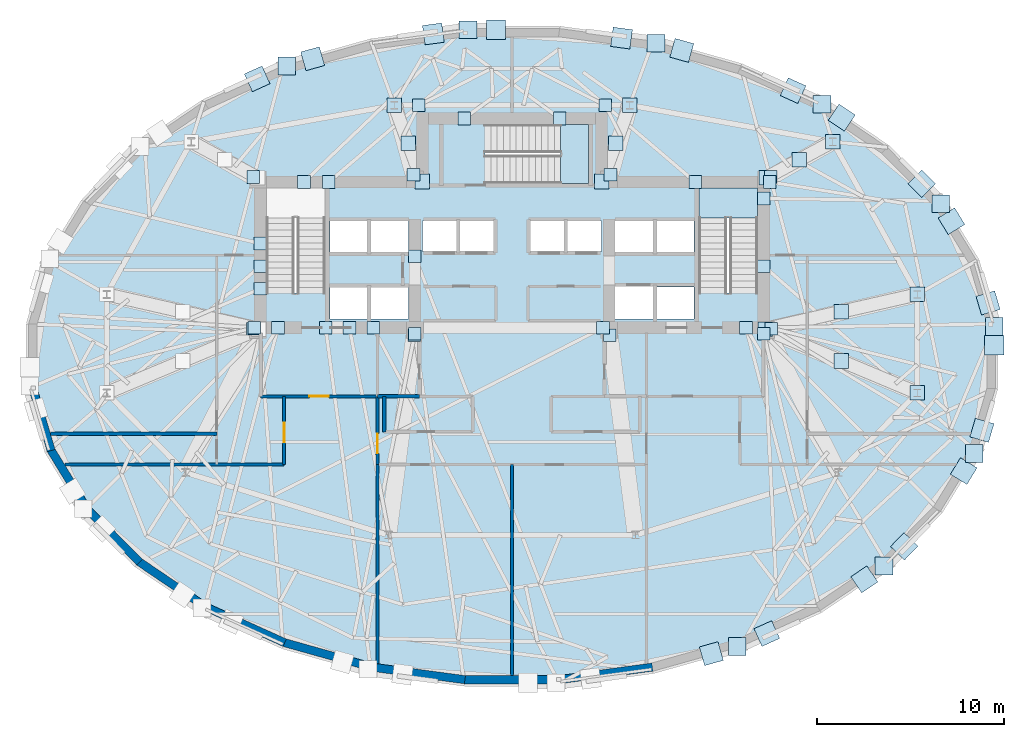
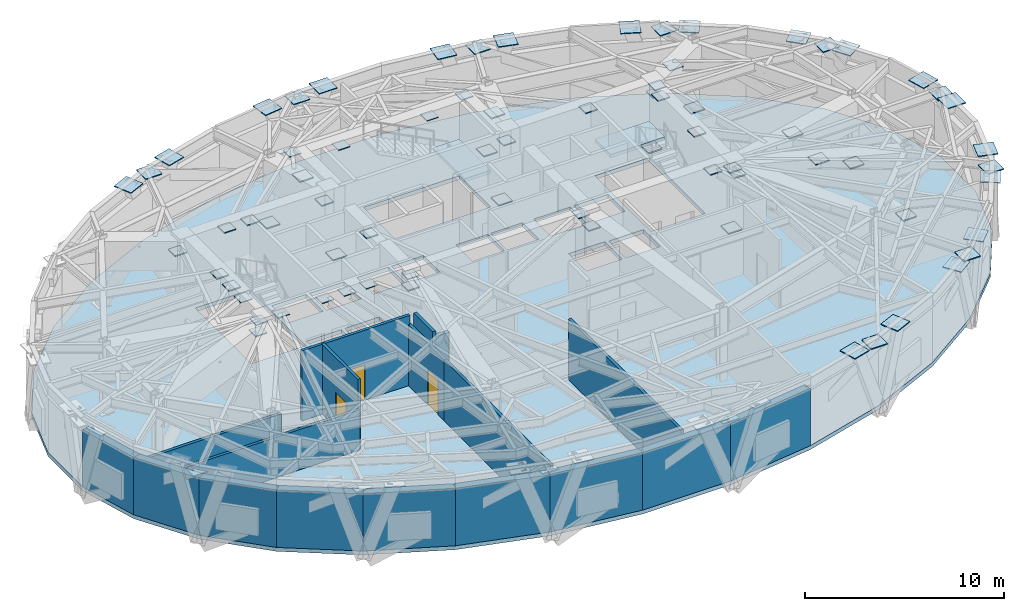
# One storey, part 6 of 13: 72 plates, 18 walls, 3 doors, 3 slabs, 3 openings, 2 elements without a shape of their own.
"""IFC4 building model written with IfcOpenShell, lengths in metres."""

from ifc_helpers import new_model, si_unit, direction, frame, frame_2d, origin, origin_2d, place, context, subcontext, project, spatial, polyline, rectangle, outline, extrude, material, layer, layer_set, type_object, element, fill, aggregate, save


model = new_model("IFC4")

# Units and contexts
model_context = context("Model", 3, precision=1e-05, world=origin(), true_north=direction((0.0, 1.0)))
body_context = subcontext(model_context, "Body", "Model", "MODEL_VIEW")
ifc_project = project(units=[si_unit("LENGTHUNIT", "METRE"), si_unit("AREAUNIT", "SQUARE_METRE"), si_unit("VOLUMEUNIT", "CUBIC_METRE"), si_unit("PLANEANGLEUNIT", "RADIAN"), si_unit("MASSUNIT", "GRAM", prefix="KILO")], contexts=[model_context])

# Site, building, storey
site_placement = place(None, origin())
site = spatial("IfcSite", under=ifc_project, at=site_placement, CompositionType="ELEMENT")
building_placement = place(site_placement, origin())
building = spatial("IfcBuilding", under=site, at=building_placement, Name="Keldmark Tower", CompositionType="ELEMENT")
storey_placement = place(building_placement, frame((0.0, 0.0, 135.10009765625)))
storey = spatial("IfcBuildingStorey", under=building, at=storey_placement, Name="L36", CompositionType="ELEMENT", Elevation=135.10009765625)

# Plates
ifc_material_1 = material(Name="Steel ASTM A572 Grade 50", Category="steel")
ifc_layer_1 = layer(ifc_material_1, 0.06005859375)
ifc_layer_set_1 = layer_set([ifc_layer_1], Name="Steel ASTM A572 Grade 50")
plate_type_1 = type_object("IfcPlateType", Name="Belt Truss Kink Node Assembly KN01 60 mm", PredefinedType="USERDEFINED", material=ifc_layer_set_1)
for number, where, z_axis, x_axis, name in (
    (1, (22.95068359375, 8.160888671875, 3.949951171875), (0.0, 0.0, 1.0), (1.0, 0.0, 0.0), "L36 Belt Truss Kink Node 01B"),
    (2, (16.592041015625, 13.484619140625, 3.949951171875), (0.0, 0.0, 1.0), (1.0, 0.0, 0.0), "L36 Belt Truss Kink Node 02B"),
    (3, (7.70751953125, 16.755615234375, 3.949951171875), (0.0, 0.0, 1.0), (1.0, 0.0, 0.0), "L36 Belt Truss Kink Node 03B"),
    (4, (-2.350341796875, 17.4755859375, 3.949951171875), (0.0, 0.0, 1.0), (1.0, 0.0, 0.0), "L36 Belt Truss Kink Node 04B"),
    (5, (-12.050537109375, 15.534912109375, 3.949951171875), (0.0, 0.0, 1.0), (1.0, 0.0, 0.0), "L36 Belt Truss Kink Node 05B"),
    (6, (12.050537109375, -15.534912109375, 3.949951171875), (0.0, 0.0, 1.0), (1.0, 0.0, 0.0), "L36 Belt Truss Kink Node 13B"),
    (7, (19.916015625, -11.229248046875, 3.949951171875), (0.0, 0.0, 1.0), (1.0, 0.0, 0.0), "L36 Belt Truss Kink Node 14B"),
    (8, (24.74951171875, -5.214111328125, 3.949951171875), (0.0, 0.0, 1.0), (1.0, 0.0, 0.0), "L36 Belt Truss Kink Node 15B"),
    (9, (25.815185546875, 1.5947265625, 3.949951171875), (0.0, 0.0, 1.0), (1.0, 0.0, 0.0), "L36 Belt Truss Kink Node 16B"),
):
    element("IfcPlate", number, at=place(storey_placement, frame(where, z_axis=z_axis, x_axis=x_axis)), inside=storey, type_object=plate_type_1, Name=name, ObjectType="CAP PLATE", PredefinedType="USERDEFINED", context=body_context, shape_type="SweptSolid", body=[
        extrude(rectangle(XDim=0.949951171875, YDim=0.949951171875, at=origin_2d()), origin(), (0.0, 0.0, 1.0), 0.06005859375),
    ])
for number, where, z_axis, x_axis, name in (
    (10, (-4.800048828125, 9.35009765625, 0.119873046875), (0.0, 0.0, 1.0), (1.0, 0.0, 0.0), "L36 Outrigger Node Cap 04A0"),
    (11, (-5.54931640625, 11.39111328125, 3.949951171875), (0.0, 0.0, 1.0), (1.0, 0.0, 0.0), "L36 Outrigger Node Cap 04A1"),
    (12, (-6.298828125, 13.4326171875, 0.119873046875), (0.0, 0.0, 1.0), (1.0, 0.0, 0.0), "L36 Outrigger Node Cap 04B0"),
    (13, (13.550048828125, 1.449951171875, 0.119873046875), (0.0, 0.0, 1.0), (1.0, 0.0, 0.0), "L36 Outrigger Node Cap 05A0"),
    (14, (17.623291015625, 2.3798828125, 3.949951171875), (0.0, 0.0, 1.0), (1.0, 0.0, 0.0), "L36 Outrigger Node Cap 05A1"),
    (15, (21.697021484375, 3.309814453125, 0.119873046875), (0.0, 0.0, 1.0), (1.0, 0.0, 0.0), "L36 Outrigger Node Cap 05B0"),
    (16, (17.623291015625, -0.258056640625, 3.949951171875), (0.0, 0.0, 1.0), (1.0, 0.0, 0.0), "L36 Outrigger Node Cap 06A1"),
    (17, (21.697021484375, -1.9658203125, 0.119873046875), (0.0, 0.0, 1.0), (1.0, 0.0, 0.0), "L36 Outrigger Node Cap 06B0"),
    (18, (13.60009765625, 9.550048828125, 0.119873046875), (0.0, 0.0, 1.0), (1.0, 0.0, 0.0), "L36 Outrigger Node Cap 07A0"),
    (19, (15.383544921875, 10.51416015625, 3.949951171875), (0.0, 0.0, 1.0), (1.0, 0.0, 0.0), "L36 Outrigger Node Cap 07A1"),
    (20, (17.1669921875, 11.478271484375, 0.119873046875), (0.0, 0.0, 1.0), (1.0, 0.0, 0.0), "L36 Outrigger Node Cap 07B0"),
    (21, (4.800048828125, 9.35009765625, 0.119873046875), (0.0, 0.0, 1.0), (1.0, 0.0, 0.0), "L36 Outrigger Node Cap 08A0"),
    (22, (5.54931640625, 11.39111328125, 3.949951171875), (0.0, 0.0, 1.0), (1.0, 0.0, 0.0), "L36 Outrigger Node Cap 08A1"),
    (23, (6.298828125, 13.4326171875, 0.119873046875), (0.0, 0.0, 1.0), (1.0, 0.0, 0.0), "L36 Outrigger Node Cap 08B0"),
):
    element("IfcPlate", number, at=place(storey_placement, frame(where, z_axis=z_axis, x_axis=x_axis)), inside=storey, type_object=plate_type_1, Name=name, ObjectType="CAP PLATE", PredefinedType="USERDEFINED", context=body_context, shape_type="SweptSolid", body=[
        extrude(rectangle(XDim=0.780029296875, YDim=0.780029296875, at=origin_2d()), origin(), (0.0, 0.0, 1.0), 0.06005859375),
    ])
for number, where, z_axis, x_axis, name in (
    (24, (13.87255859375, 1.46435546875, 3.3525390625), (0.0, 0.0, 1.0), (1.0, 0.0, 0.0), "L36 Core Wall Cast-In Embed Plate 1057"),
    (25, (13.843505859375, 9.58837890625, 3.3525390625), (0.0, 0.0, 1.0), (1.0, 0.0, 0.0), "L36 Core Wall Cast-In Embed Plate 1058"),
    (26, (5.2744140625, 9.719970703125, 3.3525390625), (0.0, 0.0, 1.0), (1.0, 0.0, 0.0), "L36 Core Wall Cast-In Embed Plate 1059"),
    (27, (-5.2744140625, 9.719970703125, 3.3525390625), (0.0, 0.0, 1.0), (1.0, 0.0, 0.0), "L36 Core Wall Cast-In Embed Plate 1060"),
    (28, (-13.843505859375, 9.58837890625, 3.3525390625), (0.0, 0.0, 1.0), (1.0, 0.0, 0.0), "L36 Core Wall Cast-In Embed Plate 1061"),
    (29, (-13.87255859375, 1.46435546875, 3.3525390625), (0.0, 0.0, 1.0), (1.0, 0.0, 0.0), "L36 Core Wall Cast-In Embed Plate 1062"),
    (30, (-5.235595703125, 1.122314453125, 3.3525390625), (0.0, 0.0, 1.0), (1.0, 0.0, 0.0), "L36 Core Wall Cast-In Embed Plate 1063"),
    (31, (5.235595703125, 1.122314453125, 3.3525390625), (0.0, 0.0, 1.0), (1.0, 0.0, 0.0), "L36 Core Wall Cast-In Embed Plate 1064"),
    (32, (4.9853515625, 13.4326171875, 3.98388671875), (0.0, 0.0, 1.0), (1.0, 0.0, 0.0), "L36 Core Wall Cast-In Embed Plate 1065"),
    (33, (9.8037109375, 9.324951171875, 3.98388671875), (0.0, 0.0, 1.0), (1.0, 0.0, 0.0), "L36 Core Wall Cast-In Embed Plate 1066"),
    (34, (-4.9853515625, 13.4326171875, 3.98388671875), (0.0, 0.0, 1.0), (1.0, 0.0, 0.0), "L36 Core Wall Cast-In Embed Plate 1067"),
    (35, (-9.8037109375, 9.324951171875, 3.98388671875), (0.0, 0.0, 1.0), (1.0, 0.0, 0.0), "L36 Core Wall Cast-In Embed Plate 1068"),
    (36, (-13.800048828125, 1.52490234375, 3.98388671875), (0.0, 0.0, 1.0), (1.0, 0.0, 0.0), "L36 Core Wall Cast-In Embed Plate 1069"),
    (37, (-8.699951171875, 1.52490234375, 3.98388671875), (0.0, 0.0, 1.0), (1.0, 0.0, 0.0), "L36 Core Wall Cast-In Embed Plate 1070"),
    (38, (13.47509765625, 1.199951171875, 3.98388671875), (0.0, 0.0, 1.0), (1.0, 0.0, 0.0), "L36 Core Wall Cast-In Embed Plate 1071"),
    (39, (13.800048828125, 9.324951171875, 3.98388671875), (0.0, 0.0, 1.0), (1.0, 0.0, 0.0), "L36 Core Wall Cast-In Embed Plate 1072"),
    (40, (-12.52490234375, 1.52490234375, 3.98388671875), (0.0, 0.0, 1.0), (1.0, 0.0, 0.0), "L36 Core Wall Cast-In Embed Plate 1073"),
    (41, (-5.199951171875, 1.199951171875, 3.98388671875), (0.0, 0.0, 1.0), (1.0, 0.0, 0.0), "L36 Core Wall Cast-In Embed Plate 1074"),
    (42, (-5.199951171875, 5.35009765625, 3.98388671875), (0.0, 0.0, 1.0), (1.0, 0.0, 0.0), "L36 Core Wall Cast-In Embed Plate 1075"),
    (43, (13.47509765625, 8.44287109375, 3.98388671875), (0.0, 0.0, 1.0), (1.0, 0.0, 0.0), "L36 Core Wall Cast-In Embed Plate 1076"),
    (44, (-2.5625, 12.72509765625, 3.98388671875), (0.0, 0.0, 1.0), (1.0, 0.0, 0.0), "L36 Core Wall Cast-In Embed Plate 1077"),
    (45, (2.5625, 12.72509765625, 3.98388671875), (0.0, 0.0, 1.0), (1.0, 0.0, 0.0), "L36 Core Wall Cast-In Embed Plate 1078"),
    (46, (-13.47509765625, 6.028564453125, 3.98388671875), (0.0, 0.0, 1.0), (1.0, 0.0, 0.0), "L36 Core Wall Cast-In Embed Plate 1079"),
    (47, (-13.47509765625, 3.6142578125, 3.98388671875), (0.0, 0.0, 1.0), (1.0, 0.0, 0.0), "L36 Core Wall Cast-In Embed Plate 1080"),
    (48, (-13.47509765625, 4.8212890625, 3.98388671875), (0.0, 0.0, 1.0), (1.0, 0.0, 0.0), "L36 Core Wall Cast-In Embed Plate 1081"),
    (49, (4.875, 1.52490234375, 3.98388671875), (0.0, 0.0, 1.0), (1.0, 0.0, 0.0), "L36 Core Wall Cast-In Embed Plate 1082"),
    (50, (-9.97509765625, 1.52490234375, 3.98388671875), (0.0, 0.0, 1.0), (1.0, 0.0, 0.0), "L36 Core Wall Cast-In Embed Plate 1083"),
    (51, (-7.425048828125, 1.52490234375, 3.98388671875), (0.0, 0.0, 1.0), (1.0, 0.0, 0.0), "L36 Core Wall Cast-In Embed Plate 1084"),
    (52, (12.52490234375, 1.52490234375, 3.98388671875), (0.0, 0.0, 1.0), (1.0, 0.0, 0.0), "L36 Core Wall Cast-In Embed Plate 1085"),
    (53, (13.47509765625, 4.8212890625, 3.98388671875), (0.0, 0.0, 1.0), (1.0, 0.0, 0.0), "L36 Core Wall Cast-In Embed Plate 1086"),
    (54, (-11.1357421875, 9.324951171875, 3.98388671875), (0.0, 0.0, 1.0), (1.0, 0.0, 0.0), "L36 Core Wall Cast-In Embed Plate 1087"),
):
    element("IfcPlate", number, at=place(storey_placement, frame(where, z_axis=z_axis, x_axis=x_axis)), inside=storey, type_object=plate_type_1, Name=name, ObjectType="CAP PLATE", PredefinedType="USERDEFINED", context=body_context, shape_type="SweptSolid", body=[
        extrude(rectangle(XDim=0.679931640625, YDim=0.679931640625, at=origin_2d()), origin(), (0.0, 0.0, 1.0), 0.054931640625),
    ])
ifc_material_2 = material(Name="Steel ASTM A572 Grade 50", Category="steel")
ifc_layer_2 = layer(ifc_material_2, 0.054931640625)
ifc_layer_set_2 = layer_set([ifc_layer_2], Name="Steel ASTM A572 Grade 50")
plate_type_2 = type_object("IfcPlateType", Name="Diagrid Node Assembly DN03 55 mm", PredefinedType="USERDEFINED", material=ifc_layer_set_2)
for number, where, z_axis, x_axis, name in (
    (55, (25.483642578125, 2.850341796875, 4.13232421875), (0.0, 0.0, 1.0), (-0.281671660596, 0.959510852267, 0.0), "L36 Diagrid Node Assembly 01"),
    (56, (23.522705078125, 7.224853515625, 4.13232421875), (0.0, 0.0, 1.0), (-0.521456478554, 0.85327788028, 0.0), "L36 Diagrid Node Assembly 02"),
    (57, (21.93310546875, 9.235107421875, 4.13232421875), (0.0, 0.0, 1.0), (-0.702153052995, 0.712026045991, 0.0), "L36 Diagrid Node Assembly 03"),
    (58, (17.649169921875, 12.768310546875, 4.13232421875), (0.0, 0.0, 1.0), (-0.827864584251, 0.560928007986, 0.0), "L36 Diagrid Node Assembly 04"),
    (59, (15.04345703125, 14.213623046875, 4.13232421875), (0.0, 0.0, 1.0), (-0.910971840153, 0.412468552072, 0.0), "L36 Diagrid Node Assembly 05"),
    (60, (9.088623046875, 16.367919921875, 4.13232421875), (0.0, 0.0, 1.0), (-0.962786145149, 0.270264386684, 0.0), "L36 Diagrid Node Assembly 06"),
    (61, (5.86376953125, 17.028564453125, 4.13232421875), (0.0, 0.0, 1.0), (-0.991029909341, 0.133640258869, 0.0), "L36 Diagrid Node Assembly 07"),
    (62, (-0.85546875, 17.4755859375, 4.13232421875), (0.0, 0.0, 1.0), (-1.0, 0.0, 0.0), "L36 Diagrid Node Assembly 08"),
    (63, (-4.208740234375, 17.2509765625, 4.13232421875), (0.0, 0.0, 1.0), (-0.991029909341, -0.133640258869, 0.0), "L36 Diagrid Node Assembly 09"),
    (64, (-10.669189453125, 15.922607421875, 4.13232421875), (0.0, 0.0, 1.0), (-0.962786145149, -0.270264386684, 0.0), "L36 Diagrid Node Assembly 10"),
    (65, (-13.640625, 14.846923828125, 4.13232421875), (0.0, 0.0, 1.0), (-0.910971840153, -0.412468552072, 0.0), "L36 Diagrid Node Assembly 11"),
    (66, (10.669189453125, -15.922607421875, 4.13232421875), (0.0, 0.0, 1.0), (0.962786145149, 0.270264386684, 0.0), "L36 Diagrid Node Assembly 26"),
    (67, (13.640625, -14.846923828125, 4.13232421875), (0.0, 0.0, 1.0), (0.910971840153, 0.412468552072, 0.0), "L36 Diagrid Node Assembly 27"),
    (68, (18.85888671875, -11.94580078125, 4.13232421875), (0.0, 0.0, 1.0), (0.827864584251, 0.560928007986, 0.0), "L36 Diagrid Node Assembly 28"),
    (69, (20.995849609375, -10.1826171875, 4.13232421875), (0.0, 0.0, 1.0), (0.702153052995, 0.712026045991, 0.0), "L36 Diagrid Node Assembly 29"),
    (70, (24.177490234375, -6.150146484375, 4.13232421875), (0.0, 0.0, 1.0), (0.521456478554, 0.85327788028, 0.0), "L36 Diagrid Node Assembly 30"),
    (71, (25.154541015625, -3.96826171875, 4.13232421875), (0.0, 0.0, 1.0), (0.281671660596, 0.959510852267, 0.0), "L36 Diagrid Node Assembly 31"),
    (72, (25.815185546875, 0.58154296875, 4.13232421875), (0.0, 0.0, 1.0), (0.0, 1.0, 0.0), "L36 Diagrid Node Assembly 32"),
):
    element("IfcPlate", number, at=place(storey_placement, frame(where, z_axis=z_axis, x_axis=x_axis)), inside=storey, type_object=plate_type_2, Name=name, ObjectType="GUSSET", PredefinedType="USERDEFINED", context=body_context, shape_type="SweptSolid", body=[
        extrude(rectangle(XDim=1.0400390625, YDim=1.0400390625, at=origin_2d()), origin(), (0.0, 0.0, 1.0), 0.054931640625),
    ])

# Slab
ifc_material_3 = material(Name="Concrete C35/45", Category="concrete")
ifc_layer_3 = layer(ifc_material_3, 0.239990234375)
ifc_layer_set_3 = layer_set([ifc_layer_3], Name="Concrete C35/45")
slab_type_1 = type_object("IfcSlabType", Name="Mechanical Diaphragm Slab 240 mm", PredefinedType="FLOOR", material=ifc_layer_set_3)
slab_1_placement = place(storey_placement, frame((0.0, 0.0, -0.239990234375)))
element("IfcSlab", 73, at=slab_1_placement, inside=storey, type_object=slab_type_1, Name="L36 Composite Structural Floor Slab", PredefinedType="FLOOR", context=body_context, shape_type="SweptSolid", body=[
    extrude(outline(polyline([(25.874755859375, 1.72705078125), (24.88037109375, 5.11474609375), (22.929931640625, 8.305908203125), (20.098388671875, 11.177978515625), (16.494140625, 13.620361328125), (12.25634765625, 15.53955078125), (7.54736328125, 16.861328125), (2.54833984375, 17.53515625), (-2.54833984375, 17.53515625), (-7.54736328125, 16.861328125), (-12.25634765625, 15.53955078125), (-16.494140625, 13.620361328125), (-20.098388671875, 11.177978515625), (-22.929931640625, 8.305908203125), (-24.88037109375, 5.11474609375), (-25.874755859375, 1.72705078125), (-25.874755859375, -1.72705078125), (-24.88037109375, -5.11474609375), (-22.929931640625, -8.305908203125), (-20.098388671875, -11.177978515625), (-16.494140625, -13.620361328125), (-12.25634765625, -15.53955078125), (-7.54736328125, -16.861328125), (-2.54833984375, -17.53515625), (2.54833984375, -17.53515625), (7.54736328125, -16.861328125), (12.25634765625, -15.53955078125), (16.494140625, -13.620361328125), (20.098388671875, -11.177978515625), (22.929931640625, -8.305908203125), (24.88037109375, -5.11474609375), (25.874755859375, -1.72705078125), (25.874755859375, 1.72705078125)]), holes=[polyline([(-10.0, 3.385009765625), (-10.0, 9.0), (-13.14990234375, 9.0), (-13.14990234375, 3.385009765625), (-10.0, 3.385009765625)]), polyline([(13.14990234375, 3.385009765625), (13.14990234375, 9.0), (10.0, 9.0), (10.0, 3.385009765625), (13.14990234375, 3.385009765625)]), polyline([(-1.43994140625, 9.25), (4.10498046875, 9.25), (4.10498046875, 12.39990234375), (-1.43994140625, 12.39990234375), (-1.43994140625, 9.25)]), polyline([(-9.75, 2.0), (-7.75, 2.0), (-7.75, 3.699951171875), (-9.75, 3.699951171875), (-9.75, 2.0)]), polyline([(7.75, 2.0), (9.75, 2.0), (9.75, 3.699951171875), (7.75, 3.699951171875), (7.75, 2.0)]), polyline([(5.449951171875, 2.0), (7.550048828125, 2.0), (7.550048828125, 3.75), (5.449951171875, 3.75), (5.449951171875, 2.0)]), polyline([(-4.800048828125, 5.60009765625), (-2.949951171875, 5.60009765625), (-2.949951171875, 7.25), (-4.800048828125, 7.25), (-4.800048828125, 5.60009765625)]), polyline([(-2.800048828125, 5.60009765625), (-0.949951171875, 5.60009765625), (-0.949951171875, 7.25), (-2.800048828125, 7.25), (-2.800048828125, 5.60009765625)]), polyline([(0.949951171875, 5.60009765625), (2.800048828125, 5.60009765625), (2.800048828125, 7.25), (0.949951171875, 7.25), (0.949951171875, 5.60009765625)]), polyline([(2.949951171875, 5.60009765625), (4.800048828125, 5.60009765625), (4.800048828125, 7.25), (2.949951171875, 7.25), (2.949951171875, 5.60009765625)]), polyline([(-9.75, 5.550048828125), (-7.75, 5.550048828125), (-7.75, 7.25), (-9.75, 7.25), (-9.75, 5.550048828125)]), polyline([(-7.550048828125, 5.550048828125), (-5.550048828125, 5.550048828125), (-5.550048828125, 7.25), (-7.550048828125, 7.25), (-7.550048828125, 5.550048828125)]), polyline([(-7.550048828125, 2.0), (-5.550048828125, 2.0), (-5.550048828125, 3.699951171875), (-7.550048828125, 3.699951171875), (-7.550048828125, 2.0)]), polyline([(5.449951171875, 5.550048828125), (7.550048828125, 5.550048828125), (7.550048828125, 7.25), (5.449951171875, 7.25), (5.449951171875, 5.550048828125)]), polyline([(7.75, 5.550048828125), (9.75, 5.550048828125), (9.75, 7.25), (7.75, 7.25), (7.75, 5.550048828125)])]), origin(), (0.0, 0.0, 1.0), 0.239990234375),
])

# Stair, slab
ifc_material_4 = material(Name="Concrete C40/50", Category="concrete")
stair_type = type_object("IfcStairType", Name="Precast Concrete Core Exit Stair", PredefinedType="HALF_TURN_STAIR", material=ifc_material_4)
stair_1_placement = place(storey_placement, origin())
stair_1 = element("IfcStair", 74, at=stair_1_placement, inside=storey, type_object=stair_type, Name="L36 Exit Stair ST2", PredefinedType="HALF_TURN_STAIR")
ifc_material_5 = material(Name="Concrete C40/50", Category="concrete")
ifc_layer_4 = layer(ifc_material_5, 0.199951171875)
ifc_layer_set_4 = layer_set([ifc_layer_4], Name="Concrete C40/50")
slab_type_2 = type_object("IfcSlabType", Name="Reinforced Concrete Stair Landing 200 mm", PredefinedType="LANDING", material=ifc_layer_set_4)
slab_2_placement = place(storey_placement, frame((0.0, 0.0, 2.0498046875)))
slab_2 = element("IfcSlab", 75, at=slab_2_placement, type_object=slab_type_2, Name="ST2 landing 1", PredefinedType="LANDING", context=body_context, shape_type="SweptSolid", body=[
    extrude(outline(polyline([(13.14990234375, 7.409912109375), (13.14990234375, 9.0), (10.0, 9.0), (10.0, 7.409912109375), (13.14990234375, 7.409912109375)])), origin(), (0.0, 0.0, 1.0), 0.2001953125),
])
aggregate(stair_1, [slab_2])

stair_2_placement = place(storey_placement, origin())
stair_2 = element("IfcStair", 76, at=stair_2_placement, inside=storey, type_object=stair_type, Name="L36 Exit Stair ST3", PredefinedType="HALF_TURN_STAIR")
slab_3_placement = place(storey_placement, frame((0.0, 0.0, 2.0498046875)))
slab_3 = element("IfcSlab", 77, at=slab_3_placement, type_object=slab_type_2, Name="ST3 landing 1", PredefinedType="LANDING", context=body_context, shape_type="SweptSolid", body=[
    extrude(outline(polyline([(2.5849609375, 9.25), (4.10498046875, 9.25), (4.10498046875, 12.39990234375), (2.5849609375, 12.39990234375), (2.5849609375, 9.25)])), origin(), (0.0, 0.0, 1.0), 0.2001953125),
])
aggregate(stair_2, [slab_3])

# Wall
ifc_material_6 = material(Name="Heavy Acoustic Plumbing Chase Gypsum Assembly", Category="gypsum")
ifc_layer_5 = layer(ifc_material_6, 0.18994140625)
ifc_layer_set_5 = layer_set([ifc_layer_5], Name="Heavy Acoustic Plumbing Chase Gypsum Assembly")
wall_type_1 = type_object("IfcWallType", Name="Heavy Wet Wall 190 mm", PredefinedType="PLUMBINGWALL", material=ifc_layer_set_5)
wall_1_placement = place(storey_placement, frame((-6.85009765625, -4.050048828125, 0.0), z_axis=(0.0, 0.0, 1.0), x_axis=(0.0, 1.0, 0.0)))
element("IfcWall", 78, at=wall_1_placement, inside=storey, type_object=wall_type_1, Name="L36 Heavy Wet Wall 190 mm SPK-W-W", PredefinedType="PLUMBINGWALL", context=body_context, shape_type="SweptSolid", body=[
    extrude(rectangle(XDim=1.900146484375, YDim=0.18994140625, at=frame_2d((0.9501953125, 0.0))), origin(), (0.0, 0.0, 1.0), 4.27978515625),
])

# Wall, opening, door
ifc_material_7 = material(Name="Type X Fire-Rated Gypsum Partition Assembly", Category="gypsum")
ifc_layer_6 = layer(ifc_material_7, 0.1650390625)
ifc_layer_set_6 = layer_set([ifc_layer_6], Name="Type X Fire-Rated Gypsum Partition Assembly")
wall_type_2 = type_object("IfcWallType", Name="Rated Partition 165 mm", PredefinedType="PARTITIONING", material=ifc_layer_set_6)
wall_2_placement = place(storey_placement, frame((-13.449951171875, -2.14990234375, 0.0), z_axis=(0.0, 0.0, 1.0), x_axis=(1.0, 0.0, 0.0)))
wall_2 = element("IfcWall", 79, at=wall_2_placement, inside=storey, type_object=wall_type_2, Name="L36 Rated Partition 165 mm FSAE-W-S", PredefinedType="PARTITIONING", context=body_context, shape_type="SweptSolid", body=[
    extrude(rectangle(XDim=6.25, YDim=0.1650390625, at=frame_2d((3.125, 0.0))), origin(), (0.0, 0.0, 1.0), 4.27978515625),
])
opening_1_placement = place(wall_2_placement, frame((2.60009765625, 0.0, 0.0)))
opening_1 = element("IfcOpeningElement", 80, at=opening_1_placement, cuts=wall_2, Name="Opening D-FL105", PredefinedType="OPENING", context=body_context, shape_type="SweptSolid", body=[
    extrude(rectangle(XDim=1.050048828125, YDim=2.14990234375, at=frame_2d((0.52490234375, 1.074951171875))), frame((0.0, 0.092529296875, 0.0), z_axis=(0.0, -1.0, 0.0), x_axis=(1.0, 0.0, 0.0)), (0.0, 0.0, 1.0), 0.18505859375),
])
ifc_material_8 = material(Name="Fire-Rated Mineral-Core Door and Vision Lite", Category="metal")
door_type = type_object("IfcDoorType", Name="Fire Lobby Door 1050x2150", OperationType="NOTDEFINED", PredefinedType="DOOR", material=ifc_material_8)
door_1_placement = place(opening_1_placement, origin())
door_1 = element("IfcDoor", 81, at=door_1_placement, inside=storey, type_object=door_type, Name="L36 Fire Lobby Door 1050x2150 D-REFW-FSAE-L36", OperationType="SINGLE_SWING_LEFT", OverallHeight=2.14990234375, OverallWidth=1.050048828125, PredefinedType="DOOR", context=body_context, shape_type="SweptSolid", body=[
    extrude(rectangle(XDim=1.050048828125, YDim=2.14990234375, at=frame_2d((0.52490234375, 1.074951171875))), frame((0.0, 0.02490234375, 0.0), z_axis=(0.0, -1.0, 0.0), x_axis=(1.0, 0.0, 0.0)), (0.0, 0.0, 1.0), 0.050048828125),
])
fill(opening_1, door_1)

wall_3_placement = place(storey_placement, frame((-12.199951171875, -5.800048828125, 0.0), z_axis=(0.0, 0.0, 1.0), x_axis=(0.0, 1.0, 0.0)))
wall_3 = element("IfcWall", 82, at=wall_3_placement, inside=storey, type_object=wall_type_2, Name="L36 Rated Partition 165 mm REF-WT-W", PredefinedType="PARTITIONING", context=body_context, shape_type="SweptSolid", body=[
    extrude(rectangle(XDim=3.650146484375, YDim=0.1650390625, at=frame_2d((1.8251953125, 0.0))), origin(), (0.0, 0.0, 1.0), 4.27978515625),
])
opening_2_placement = place(wall_3_placement, frame((1.199951171875, 0.0, 0.0)))
opening_2 = element("IfcOpeningElement", 83, at=opening_2_placement, cuts=wall_3, Name="Opening D-FL105", PredefinedType="OPENING", context=body_context, shape_type="SweptSolid", body=[
    extrude(rectangle(XDim=1.050048828125, YDim=2.14990234375, at=frame_2d((0.52490234375, 1.074951171875))), frame((0.0, 0.092529296875, 0.0), z_axis=(0.0, -1.0, 0.0), x_axis=(1.0, 0.0, 0.0)), (0.0, 0.0, 1.0), 0.18505859375),
])
door_2_placement = place(opening_2_placement, origin())
door_2 = element("IfcDoor", 84, at=door_2_placement, inside=storey, type_object=door_type, Name="L36 Fire Lobby Door 1050x2150 D-REFW-CORW-L36", OperationType="SINGLE_SWING_LEFT", OverallHeight=2.14990234375, OverallWidth=1.050048828125, PredefinedType="DOOR", context=body_context, shape_type="SweptSolid", body=[
    extrude(rectangle(XDim=1.050048828125, YDim=2.14990234375, at=frame_2d((0.52490234375, 1.074951171875))), frame((0.0, 0.02490234375, 0.0), z_axis=(0.0, -1.0, 0.0), x_axis=(1.0, 0.0, 0.0)), (0.0, 0.0, 1.0), 0.050048828125),
])
fill(opening_2, door_2)

wall_4_placement = place(storey_placement, frame((-7.199951171875, -5.800048828125, 0.0), z_axis=(0.0, 0.0, 1.0), x_axis=(0.0, 1.0, 0.0)))
wall_4 = element("IfcWall", 85, at=wall_4_placement, inside=storey, type_object=wall_type_2, Name="L36 Rated Partition 165 mm REF-WT-E", PredefinedType="PARTITIONING", context=body_context, shape_type="SweptSolid", body=[
    extrude(rectangle(XDim=3.650146484375, YDim=0.1650390625, at=frame_2d((1.8251953125, 0.0))), origin(), (0.0, 0.0, 1.0), 3.73291015625),
])
opening_3_placement = place(wall_4_placement, frame((0.60009765625, 0.0, 0.0)))
opening_3 = element("IfcOpeningElement", 86, at=opening_3_placement, cuts=wall_4, Name="Opening D-FL105", PredefinedType="OPENING", context=body_context, shape_type="SweptSolid", body=[
    extrude(rectangle(XDim=1.050048828125, YDim=2.14990234375, at=frame_2d((0.52490234375, 1.074951171875))), frame((0.0, 0.092529296875, 0.0), z_axis=(0.0, -1.0, 0.0), x_axis=(1.0, 0.0, 0.0)), (0.0, 0.0, 1.0), 0.18505859375),
])
door_3_placement = place(opening_3_placement, origin())
door_3 = element("IfcDoor", 87, at=door_3_placement, inside=storey, type_object=door_type, Name="L36 Fire Lobby Door 1050x2150 D-REFW-CORE-L36", OperationType="SINGLE_SWING_RIGHT", OverallHeight=2.14990234375, OverallWidth=1.050048828125, PredefinedType="DOOR", context=body_context, shape_type="SweptSolid", body=[
    extrude(rectangle(XDim=1.050048828125, YDim=2.14990234375, at=frame_2d((0.52490234375, 1.074951171875))), frame((0.0, 0.02490234375, 0.0), z_axis=(0.0, -1.0, 0.0), x_axis=(1.0, 0.0, 0.0)), (0.0, 0.0, 1.0), 0.050048828125),
])
fill(opening_3, door_3)

# Walls
wall_5_placement = place(storey_placement, frame((-7.199951171875, -16.4560546875, 0.0), z_axis=(0.0, 0.0, 1.0), x_axis=(0.0, 1.0, 0.0)))
element("IfcWall", 88, at=wall_5_placement, inside=storey, type_object=wall_type_2, Name="L36 Rated Partition 165 mm REF-S-W", PredefinedType="PARTITIONING", context=body_context, shape_type="SweptSolid", body=[
    extrude(rectangle(XDim=10.656005859375, YDim=0.1650390625, at=frame_2d((5.328125, 0.0))), origin(), (0.0, 0.0, 1.0), 3.73291015625),
])
wall_6_placement = place(storey_placement, frame((-23.9365234375, -5.800048828125, 0.0), z_axis=(0.0, 0.0, 1.0), x_axis=(1.0, 0.0, 0.0)))
element("IfcWall", 89, at=wall_6_placement, inside=storey, type_object=wall_type_2, Name="L36 Rated Partition 165 mm REF-CAP-W", PredefinedType="PARTITIONING", context=body_context, shape_type="SweptSolid", body=[
    extrude(rectangle(XDim=11.736572265625, YDim=0.1650390625, at=frame_2d((5.8681640625, 0.0))), origin(), (0.0, 0.0, 1.0), 2.469970703125),
])
wall_7_placement = place(storey_placement, frame((0.0, -17.087158203125, 0.0), z_axis=(0.0, 0.0, 1.0), x_axis=(0.0, 1.0, 0.0)))
element("IfcWall", 90, at=wall_7_placement, inside=storey, type_object=wall_type_2, Name="L36 Rated Partition 165 mm SPL-DIV", PredefinedType="PARTITIONING", context=body_context, shape_type="SweptSolid", body=[
    extrude(rectangle(XDim=11.287109375, YDim=0.1650390625, at=frame_2d((5.6435546875, 0.0))), origin(), (0.0, 0.0, 1.0), 3.73291015625),
])
wall_8_placement = place(storey_placement, frame((-24.69677734375, -4.14990234375, 0.0), z_axis=(0.0, 0.0, 1.0), x_axis=(1.0, 0.0, 0.0)))
element("IfcWall", 91, at=wall_8_placement, inside=storey, type_object=wall_type_2, Name="L36 Rated Partition 165 mm WPL-DIV", PredefinedType="PARTITIONING", context=body_context, shape_type="SweptSolid", body=[
    extrude(rectangle(XDim=8.896728515625, YDim=0.1650390625, at=frame_2d((4.4482421875, 0.0))), origin(), (0.0, 0.0, 1.0), 2.469970703125),
])
ifc_material_9 = material(Name="Fire-Resistant Type X Gypsum Shaftliner Coreboard", Category="gypsum")
ifc_layer_7 = layer(ifc_material_9, 0.199951171875)
ifc_layer_set_7 = layer_set([ifc_layer_7], Name="Fire-Resistant Type X Gypsum Shaftliner Coreboard")
wall_type_3 = type_object("IfcWallType", Name="Shaft Wall 200 mm", PredefinedType="SOLIDWALL", material=ifc_layer_set_7)
wall_9_placement = place(storey_placement, frame((-7.199951171875, -2.14990234375, 0.0), z_axis=(0.0, 0.0, 1.0), x_axis=(1.0, 0.0, 0.0)))
element("IfcWall", 92, at=wall_9_placement, inside=storey, type_object=wall_type_3, Name="L36 Shaft Wall 200 mm RIS-SW-S", PredefinedType="SOLIDWALL", context=body_context, shape_type="SweptSolid", body=[
    extrude(rectangle(XDim=2.25, YDim=0.199951171875, at=frame_2d((1.125, 0.0))), origin(), (0.0, 0.0, 1.0), 2.469970703125),
])
ifc_material_10 = material(Name="Ironspot Manganese Brick and Kasota Buff Limestone Spandrel Assembly", Category="masonry")
ifc_layer_8 = layer(ifc_material_10, 0.43994140625)
ifc_layer_set_8 = layer_set([ifc_layer_8], Name="Ironspot Manganese Brick and Kasota Buff Limestone Spandrel Assembly")
wall_type_4 = type_object("IfcWallType", Name="Tower Brick Pier and Spandrel Wall 440 mm", PredefinedType="STANDARD", material=ifc_layer_set_8)
wall_10_placement = place(storey_placement, frame((-24.669189453125, -5.052734375, 0.0), z_axis=(0.0, 0.0, 1.0), x_axis=(-0.28170956188, 0.959499725245, 0.0)))
element("IfcWall", 93, at=wall_10_placement, inside=storey, type_object=wall_type_4, Name="L36 Exterior Brick and Spandrel Wall 17", PredefinedType="STANDARD", context=body_context, shape_type="SweptSolid", body=[
    extrude(rectangle(XDim=3.53076171875, YDim=0.43994140625, at=frame_2d((1.765380859375, 0.0))), origin(), (0.0, 0.0, 1.0), 3.497802734375),
])
wall_11_placement = place(storey_placement, frame((-22.7421875, -8.19140625, 0.0), z_axis=(0.0, 0.0, 1.0), x_axis=(-0.521476412293, 0.853265698022, 0.0)))
element("IfcWall", 94, at=wall_11_placement, inside=storey, type_object=wall_type_4, Name="L36 Exterior Brick and Spandrel Wall 18", PredefinedType="STANDARD", context=body_context, shape_type="SweptSolid", body=[
    extrude(rectangle(XDim=3.740234375, YDim=0.43994140625, at=frame_2d((1.8701171875, 0.0))), origin(), (0.0, 0.0, 1.0), 3.497802734375),
])
wall_12_placement = place(storey_placement, frame((-19.941650390625, -11.0234375, 0.0), z_axis=(0.0, 0.0, 1.0), x_axis=(-0.702094935552, 0.712083352897, 0.0)))
element("IfcWall", 95, at=wall_12_placement, inside=storey, type_object=wall_type_4, Name="L36 Exterior Brick and Spandrel Wall 19", PredefinedType="STANDARD", context=body_context, shape_type="SweptSolid", body=[
    extrude(rectangle(XDim=4.032958984375, YDim=0.43994140625, at=frame_2d((2.0166015625, 0.0))), origin(), (0.0, 0.0, 1.0), 3.497802734375),
])
wall_13_placement = place(storey_placement, frame((-16.370849609375, -13.438232421875, 0.0), z_axis=(0.0, 0.0, 1.0), x_axis=(-0.827816201219, 0.56099940909, 0.0)))
element("IfcWall", 96, at=wall_13_placement, inside=storey, type_object=wall_type_4, Name="L36 Exterior Brick and Spandrel Wall 20", PredefinedType="STANDARD", context=body_context, shape_type="SweptSolid", body=[
    extrude(rectangle(XDim=4.353515625, YDim=0.43994140625, at=frame_2d((2.1767578125, 0.0))), origin(), (0.0, 0.0, 1.0), 3.497802734375),
])
wall_14_placement = place(storey_placement, frame((-12.16552734375, -15.339111328125, 0.0), z_axis=(0.0, 0.0, 1.0), x_axis=(-0.910938924115, 0.412541242221, 0.0)))
element("IfcWall", 97, at=wall_14_placement, inside=storey, type_object=wall_type_4, Name="L36 Exterior Brick and Spandrel Wall 21", PredefinedType="STANDARD", context=body_context, shape_type="SweptSolid", body=[
    extrude(rectangle(XDim=4.652099609375, YDim=0.43994140625, at=frame_2d((2.326171875, 0.0))), origin(), (0.0, 0.0, 1.0), 3.497802734375),
])
wall_15_placement = place(storey_placement, frame((-7.48779296875, -16.6494140625, 0.0), z_axis=(0.0, 0.0, 1.0), x_axis=(-0.962790668442, 0.270248272446, 0.0)))
element("IfcWall", 98, at=wall_15_placement, inside=storey, type_object=wall_type_4, Name="L36 Exterior Brick and Spandrel Wall 22", PredefinedType="STANDARD", context=body_context, shape_type="SweptSolid", body=[
    extrude(rectangle(XDim=4.890869140625, YDim=0.43994140625, at=frame_2d((2.4453125, 0.0))), origin(), (0.0, 0.0, 1.0), 3.497802734375),
])
wall_16_placement = place(storey_placement, frame((-2.51904296875, -17.317138671875, 0.0), z_axis=(0.0, 0.0, 1.0), x_axis=(-0.99103751038, 0.133583880086, 0.0)))
element("IfcWall", 99, at=wall_16_placement, inside=storey, type_object=wall_type_4, Name="L36 Exterior Brick and Spandrel Wall 23", PredefinedType="STANDARD", context=body_context, shape_type="SweptSolid", body=[
    extrude(rectangle(XDim=5.044189453125, YDim=0.43994140625, at=frame_2d((2.52197265625, 0.0))), origin(), (0.0, 0.0, 1.0), 3.497802734375),
])
wall_17_placement = place(storey_placement, frame((2.54833984375, -17.315185546875, 0.0), z_axis=(0.0, 0.0, 1.0), x_axis=(-1.0, 0.0, 0.0)))
element("IfcWall", 100, at=wall_17_placement, inside=storey, type_object=wall_type_4, Name="L36 Exterior Brick and Spandrel Wall 24", PredefinedType="STANDARD", context=body_context, shape_type="SweptSolid", body=[
    extrude(rectangle(XDim=5.0966796875, YDim=0.43994140625, at=frame_2d((2.54833984375, 0.0))), origin(), (0.0, 0.0, 1.0), 3.497802734375),
])
wall_18_placement = place(storey_placement, frame((7.51806640625, -16.643310546875, 0.0), z_axis=(0.0, 0.0, 1.0), x_axis=(-0.99103751038, -0.133583880086, 0.0)))
element("IfcWall", 101, at=wall_18_placement, inside=storey, type_object=wall_type_4, Name="L36 Exterior Brick and Spandrel Wall 25", PredefinedType="STANDARD", context=body_context, shape_type="SweptSolid", body=[
    extrude(rectangle(XDim=5.044189453125, YDim=0.43994140625, at=frame_2d((2.52197265625, 0.0))), origin(), (0.0, 0.0, 1.0), 3.497802734375),
])

save(model, "model.ifc")
